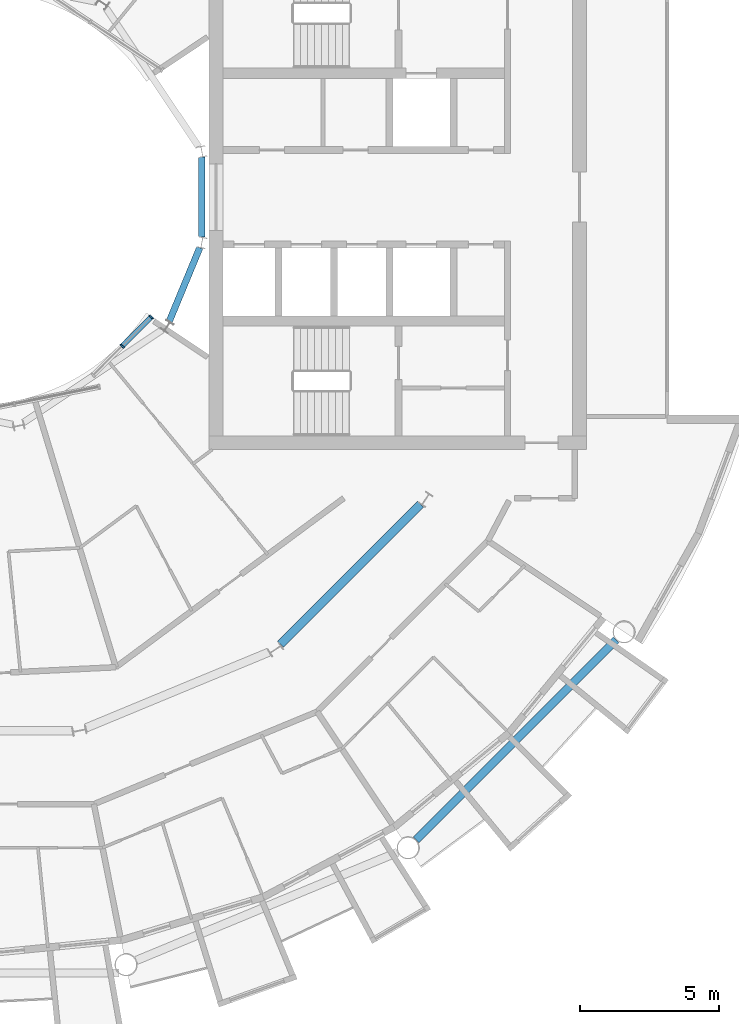
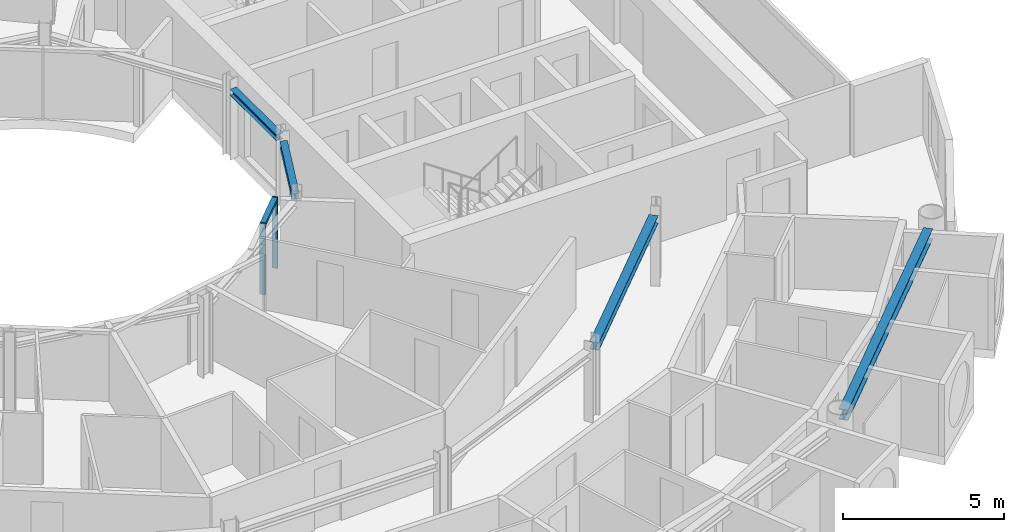
# One storey, part 7 of 27: 4 beams, 3 members, 1 element without a shape of its own.
"""IFC4 building model written with IfcOpenShell, lengths in metres."""

from ifc_helpers import new_model, si_unit, direction, frame, origin, origin_2d, place, context, subcontext, project, spatial, rectangle, i_section, extrude, material, layer, layer_set, material_profile, profile_set, type_object, element, aggregate, save


model = new_model("IFC4")

# Units and contexts
model_context = context("Model", 3, precision=1e-05, world=origin(), true_north=direction((0.0, 1.0)))
body_context = subcontext(model_context, "Body", "Model", "MODEL_VIEW")
ifc_project = project(units=[si_unit("LENGTHUNIT", "METRE"), si_unit("AREAUNIT", "SQUARE_METRE"), si_unit("VOLUMEUNIT", "CUBIC_METRE"), si_unit("PLANEANGLEUNIT", "RADIAN"), si_unit("MASSUNIT", "GRAM", prefix="KILO")], contexts=[model_context])

# Site, building, storey
site_placement = place(None, origin())
site = spatial("IfcSite", under=ifc_project, at=site_placement, CompositionType="ELEMENT")
building_placement = place(site_placement, origin())
building = spatial("IfcBuilding", under=site, at=building_placement, Name="Maasbend Ring Residences", CompositionType="ELEMENT")
storey_placement = place(building_placement, frame((0.0, 0.0, 170.75)))
storey = spatial("IfcBuildingStorey", under=building, at=storey_placement, Name="L49", CompositionType="ELEMENT", Elevation=170.75)

# Curtain wall, members
ifc_material_1 = material(Name="Aluminium and clear glass", Category="aluminium")
ifc_layer = layer(ifc_material_1, 0.179931640625)
ifc_layer_set = layer_set([ifc_layer], Name="CW-W")
curtain_wall_type = type_object("IfcCurtainWallType", Name="CW-W", PredefinedType="NOTDEFINED", material=ifc_layer_set)
curtain_wall_placement = place(storey_placement, origin())
curtain_wall = element("IfcCurtainWall", 1, at=curtain_wall_placement, inside=storey, type_object=curtain_wall_type, Name="Well curtain wall S3", PredefinedType="NOTDEFINED")
ifc_material_2 = material(Name="Aluminium 6063-T6", Category="aluminium")
ifc_material_profile_1 = material_profile(ifc_material_2, rectangle(XDim=0.179931640625, YDim=0.06005859375, at=origin_2d()), Name="AL 180x60")
ifc_profile_set_1 = profile_set([ifc_material_profile_1], Name="Aluminium 6063-T6")
member_type_1 = type_object("IfcMemberType", Name="CWM-W", PredefinedType="MULLION", material=ifc_profile_set_1)
member_1_placement = place(storey_placement, frame((5.366943359375, -5.366943359375, 0.0), z_axis=(0.0, 0.0, 1.0), x_axis=(-0.707106781187, 0.707106781187, 0.0)))
member_1 = element("IfcMember", 2, at=member_1_placement, type_object=member_type_1, Name="Mullion well face", PredefinedType="MULLION", context=body_context, shape_type="SweptSolid", body=[
    extrude(rectangle(XDim=0.179931640625, YDim=0.06005859375, at=origin_2d()), origin(), (0.0, 0.0, 1.0), 2.699951171875),
])
member_2_placement = place(storey_placement, frame((6.413330078125, -4.320556640625, 0.0), z_axis=(0.0, 0.0, 1.0), x_axis=(-0.707106781187, 0.707106781187, 0.0)))
member_2 = element("IfcMember", 3, at=member_2_placement, type_object=member_type_1, Name="Mullion well face", PredefinedType="MULLION", context=body_context, shape_type="SweptSolid", body=[
    extrude(rectangle(XDim=0.179931640625, YDim=0.06005859375, at=origin_2d()), origin(), (0.0, 0.0, 1.0), 2.699951171875),
])
ifc_material_3 = material(Name="Aluminium 6063-T6", Category="aluminium")
ifc_material_profile_2 = material_profile(ifc_material_3, rectangle(XDim=0.179931640625, YDim=0.1201171875, at=origin_2d()), Name="AL 180x120")
ifc_profile_set_2 = profile_set([ifc_material_profile_2], Name="Aluminium 6063-T6")
member_type_2 = type_object("IfcMemberType", Name="CWT-W", PredefinedType="USERDEFINED", material=ifc_profile_set_2)
member_3_placement = place(storey_placement, frame((5.38818359375, -5.345703125, 2.639892578125), z_axis=(0.707106781187, 0.707106781187, 0.0), x_axis=(-0.707106781187, 0.707106781187, 0.0)))
member_3 = element("IfcMember", 4, at=member_3_placement, type_object=member_type_2, Name="Transom well face", ObjectType="TRANSOM", PredefinedType="USERDEFINED", context=body_context, shape_type="SweptSolid", body=[
    extrude(rectangle(XDim=0.179931640625, YDim=0.1201171875, at=origin_2d()), origin(), (0.0, 0.0, 1.0), 1.419677734375),
])
aggregate(curtain_wall, [member_1, member_2, member_3])

# Beams
ifc_material_4 = material(Name="Steel S355J2", Category="steel")
ifc_material_profile_3 = material_profile(ifc_material_4, i_section(OverallWidth=0.300048828125, OverallDepth=0.2900390625, WebThickness=0.008544921875, FlangeThickness=0.013916015625, FilletRadius=0.027099609375, at=origin_2d()), Name="HEA 300")
ifc_profile_set_3 = profile_set([ifc_material_profile_3], Name="Steel S355J2")
beam_type_1 = type_object("IfcBeamType", Name="Corridor ring beam HEA 300", PredefinedType="BEAM", material=ifc_profile_set_3)
beam_1_placement = place(storey_placement, frame((11.0693359375, -16.11669921875, 2.554931640625), z_axis=(0.707106781187, 0.707106781187, 0.0), x_axis=(-0.707106781187, 0.707106781187, 0.0)))
element("IfcBeam", 5, at=beam_1_placement, inside=storey, type_object=beam_type_1, Name="Corridor ring beam", PredefinedType="BEAM", context=body_context, shape_type="SweptSolid", body=[
    extrude(i_section(OverallWidth=0.300048828125, OverallDepth=0.2900390625, WebThickness=0.008544921875, FlangeThickness=0.013916015625, FilletRadius=0.027099609375, at=origin_2d()), origin(), (0.0, 0.0, 1.0), 7.137939453125),
])
ifc_material_5 = material(Name="Steel S355J2", Category="steel")
ifc_material_profile_4 = material_profile(ifc_material_5, i_section(OverallWidth=0.300048828125, OverallDepth=0.39990234375, WebThickness=0.013427734375, FlangeThickness=0.02392578125, FilletRadius=0.027099609375, at=origin_2d()), Name="HEB 400")
ifc_profile_set_4 = profile_set([ifc_material_profile_4], Name="Steel S355J2")
beam_type_2 = type_object("IfcBeamType", Name="Spandrel ring beam HEB 400", PredefinedType="SPANDREL", material=ifc_profile_set_4)
beam_2_placement = place(storey_placement, frame((15.95458984375, -23.159912109375, 2.5), z_axis=(0.707106781187, 0.707106781187, 0.0), x_axis=(-0.707106781187, 0.707106781187, 0.0)))
element("IfcBeam", 6, at=beam_2_placement, inside=storey, type_object=beam_type_2, Name="Spandrel ring beam", PredefinedType="SPANDREL", context=body_context, shape_type="SweptSolid", body=[
    extrude(i_section(OverallWidth=0.300048828125, OverallDepth=0.39990234375, WebThickness=0.013427734375, FlangeThickness=0.02392578125, FilletRadius=0.027099609375, at=origin_2d()), origin(), (0.0, 0.0, 1.0), 10.18994140625),
])
ifc_material_6 = material(Name="Steel S355J2", Category="steel")
ifc_material_profile_5 = material_profile(ifc_material_6, i_section(OverallWidth=0.239990234375, OverallDepth=0.22998046875, WebThickness=0.007568359375, FlangeThickness=0.011962890625, FilletRadius=0.02099609375, at=origin_2d()), Name="HEA 240")
ifc_profile_set_5 = profile_set([ifc_material_profile_5], Name="Steel S355J2")
beam_type_3 = type_object("IfcBeamType", Name="Well edge beam HEA 240", PredefinedType="BEAM", material=ifc_profile_set_5)
for number, where, z_axis, x_axis, name in (
    (7, (7.060302734375, -4.483154296875, 2.5849609375), (0.382748596828, 0.923852537814, 0.0), (-0.923852537814, 0.382748596828, 0.0), "Well edge beam"),
    (8, (8.238525390625, -1.43994140625, 2.5849609375), (0.0, 1.0, 0.0), (-1.0, 0.0, 0.0), "Well edge beam"),
):
    element("IfcBeam", number, at=place(storey_placement, frame(where, z_axis=z_axis, x_axis=x_axis)), inside=storey, type_object=beam_type_3, Name=name, PredefinedType="BEAM", context=body_context, shape_type="SweptSolid", body=[
        extrude(i_section(OverallWidth=0.239990234375, OverallDepth=0.22998046875, WebThickness=0.007568359375, FlangeThickness=0.011962890625, FilletRadius=0.02099609375, at=origin_2d()), origin(), (0.0, 0.0, 1.0), 2.8798828125),
    ])

save(model, "model.ifc")
